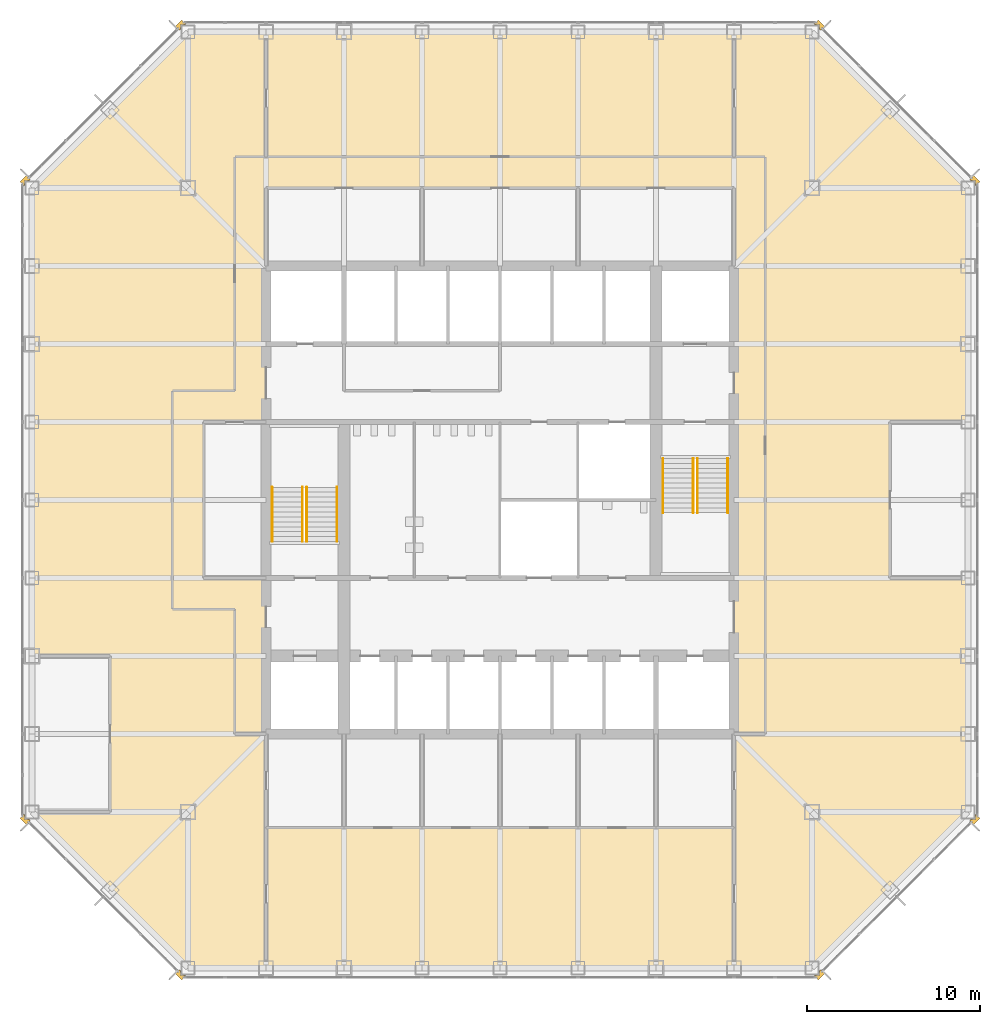
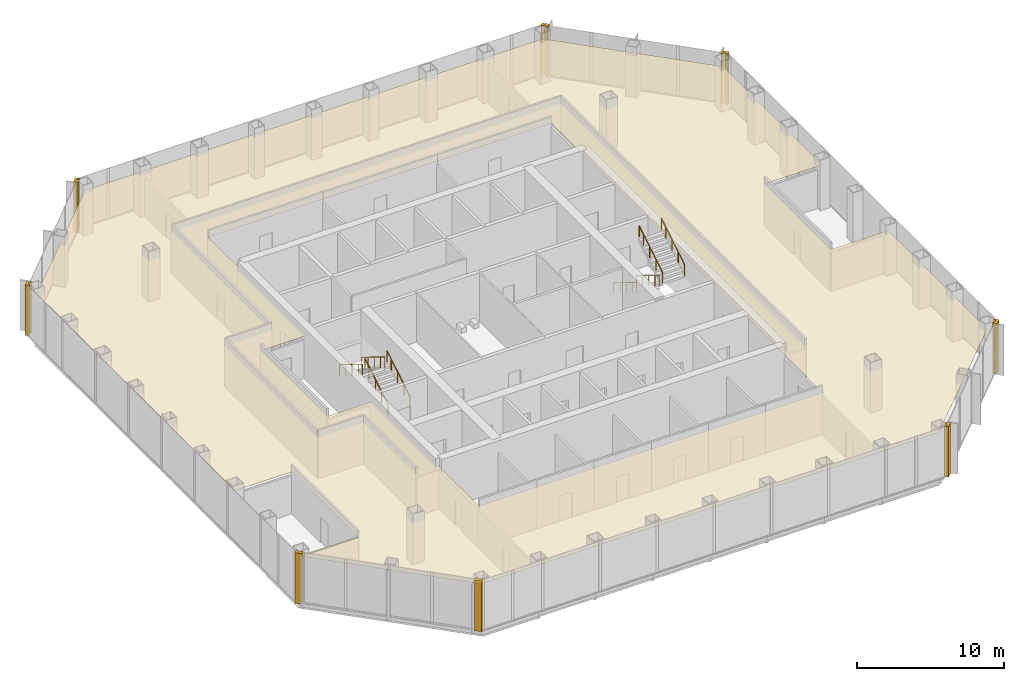
# One storey, part 11 of 12: 9 coverings, 8 railings.
"""IFC4 building model written with IfcOpenShell, lengths in metres."""

from ifc_helpers import new_model, si_unit, direction, frame, origin, origin_2d, place, context, subcontext, project, spatial, polyline, circle, outline, extrude, material, layer, layer_set, type_object, element, save


model = new_model("IFC4")

# Units and contexts
model_context = context("Model", 3, precision=1e-05, world=origin(), true_north=direction((0.0, 1.0)))
body_context = subcontext(model_context, "Body", "Model", "MODEL_VIEW")
ifc_project = project(units=[si_unit("LENGTHUNIT", "METRE"), si_unit("AREAUNIT", "SQUARE_METRE"), si_unit("VOLUMEUNIT", "CUBIC_METRE"), si_unit("PLANEANGLEUNIT", "RADIAN"), si_unit("MASSUNIT", "GRAM", prefix="KILO")], contexts=[model_context])

# Site, building, storey
site_placement = place(None, origin())
site = spatial("IfcSite", under=ifc_project, at=site_placement, CompositionType="ELEMENT")
building_placement = place(site_placement, origin())
building = spatial("IfcBuilding", under=site, at=building_placement, Name="Corais Broadcast Tower", CompositionType="ELEMENT")
storey_placement = place(building_placement, frame((0.0, 0.0, 58.39990234375)))
storey = spatial("IfcBuildingStorey", under=building, at=storey_placement, Name="L12", CompositionType="ELEMENT", Elevation=58.39990234375)

# Railings
ifc_material_1 = material(Name="Stainless steel handrail", Category="steel")
railing_type = type_object("IfcRailingType", Name="Handrail 920", PredefinedType="HANDRAIL", material=ifc_material_1)
for number, where, name in (
    (1, (17.60009765625, 24.60009765625, 0.175048828125), "HR1 L12"),
    (2, (15.85009765625, 24.60009765625, 0.175048828125), "HR1 L12"),
):
    element("IfcRailing", number, at=place(storey_placement, frame(where)), inside=storey, type_object=railing_type, Name=name, PredefinedType="HANDRAIL", context=body_context, shape_type="SweptSolid", body=[
        extrude(circle(Radius=0.02392578125, at=origin_2d()), frame((0.0, 0.0, 0.89599609375), z_axis=(0.0, 0.852166034122, 0.523271488128), x_axis=(-1.0, 0.0, 0.0)), (0.0, 0.0, 1.0), 3.678955078125),
        extrude(circle(Radius=0.02099609375, at=origin_2d()), origin(), (0.0, 0.0, 1.0), 0.871826171875),
        extrude(circle(Radius=0.02099609375, at=origin_2d()), frame((0.0, 0.85498046875, 0.52490234375)), (0.0, 0.0, 1.0), 0.871826171875),
        extrude(circle(Radius=0.02099609375, at=origin_2d()), frame((0.0, 1.7099609375, 1.050048828125)), (0.0, 0.0, 1.0), 0.871826171875),
        extrude(circle(Radius=0.02099609375, at=origin_2d()), frame((0.0, 2.56494140625, 1.574951171875)), (0.0, 0.0, 1.0), 0.871826171875),
        extrude(circle(Radius=0.02099609375, at=origin_2d()), frame((0.0, 3.135009765625, 1.925048828125)), (0.0, 0.0, 1.0), 0.871826171875),
    ])
for number, where, name in (
    (3, (13.85009765625, 27.735107421875, 2.275146484375), "HR1 L12"),
    (4, (15.60009765625, 27.735107421875, 2.275146484375), "HR1 L12"),
    (5, (36.39990234375, 29.39990234375, 0.175048828125), "HR1 L12"),
    (6, (38.14990234375, 29.39990234375, 0.175048828125), "HR1 L12"),
):
    element("IfcRailing", number, at=place(storey_placement, frame(where)), inside=storey, type_object=railing_type, Name=name, PredefinedType="HANDRAIL", context=body_context, shape_type="SweptSolid", body=[
        extrude(circle(Radius=0.02392578125, at=origin_2d()), frame((0.0, 0.0, 0.89599609375), z_axis=(0.0, -0.852166034122, 0.523271488128), x_axis=(1.0, 0.0, 0.0)), (0.0, 0.0, 1.0), 3.678955078125),
        extrude(circle(Radius=0.02099609375, at=origin_2d()), origin(), (0.0, 0.0, 1.0), 0.871826171875),
        extrude(circle(Radius=0.02099609375, at=origin_2d()), frame((0.0, -0.85498046875, 0.52490234375)), (0.0, 0.0, 1.0), 0.871826171875),
        extrude(circle(Radius=0.02099609375, at=origin_2d()), frame((0.0, -1.7099609375, 1.050048828125)), (0.0, 0.0, 1.0), 0.871826171875),
        extrude(circle(Radius=0.02099609375, at=origin_2d()), frame((0.0, -2.56494140625, 1.574951171875)), (0.0, 0.0, 1.0), 0.871826171875),
        extrude(circle(Radius=0.02099609375, at=origin_2d()), frame((0.0, -3.135009765625, 1.925048828125)), (0.0, 0.0, 1.0), 0.871826171875),
    ])
for number, where, name in (
    (7, (40.14990234375, 26.264892578125, 2.275146484375), "HR1 L12"),
    (8, (38.39990234375, 26.264892578125, 2.275146484375), "HR1 L12"),
):
    element("IfcRailing", number, at=place(storey_placement, frame(where)), inside=storey, type_object=railing_type, Name=name, PredefinedType="HANDRAIL", context=body_context, shape_type="SweptSolid", body=[
        extrude(circle(Radius=0.02392578125, at=origin_2d()), frame((0.0, 0.0, 0.89599609375), z_axis=(0.0, 0.852166034122, 0.523271488128), x_axis=(-1.0, 0.0, 0.0)), (0.0, 0.0, 1.0), 3.678955078125),
        extrude(circle(Radius=0.02099609375, at=origin_2d()), origin(), (0.0, 0.0, 1.0), 0.871826171875),
        extrude(circle(Radius=0.02099609375, at=origin_2d()), frame((0.0, 0.85498046875, 0.52490234375)), (0.0, 0.0, 1.0), 0.871826171875),
        extrude(circle(Radius=0.02099609375, at=origin_2d()), frame((0.0, 1.7099609375, 1.050048828125)), (0.0, 0.0, 1.0), 0.871826171875),
        extrude(circle(Radius=0.02099609375, at=origin_2d()), frame((0.0, 2.56494140625, 1.574951171875)), (0.0, 0.0, 1.0), 0.871826171875),
        extrude(circle(Radius=0.02099609375, at=origin_2d()), frame((0.0, 3.135009765625, 1.925048828125)), (0.0, 0.0, 1.0), 0.871826171875),
    ])

# Coverings
ifc_material_2 = material(Name="Granite stone cladding", Category="masonry")
ifc_layer_1 = layer(ifc_material_2, 0.324951171875)
ifc_layer_set_1 = layer_set([ifc_layer_1], Name="Granite stone cladding")
covering_type_1 = type_object("IfcCoveringType", Name="Stone corner pier cladding 500x325", PredefinedType="CLADDING", material=ifc_layer_set_1)
covering_1_placement = place(storey_placement, origin())
element("IfcCovering", 9, at=covering_1_placement, inside=storey, type_object=covering_type_1, Name="SP1 stone corner pier L12", PredefinedType="CLADDING", context=body_context, shape_type="SweptSolid", body=[
    extrude(outline(polyline([(8.860595703125, -0.461669921875), (8.823974609375, -0.425048828125), (8.574951171875, -0.425048828125), (8.574951171875, -0.176025390625), (8.507080078125, -0.108154296875), (8.277099609375, -0.337890625), (8.630859375, -0.69140625), (8.860595703125, -0.461669921875)])), origin(), (0.0, 0.0, 1.0), 4.2001953125),
])
covering_2_placement = place(storey_placement, origin())
element("IfcCovering", 10, at=covering_2_placement, inside=storey, type_object=covering_type_1, Name="SP1 stone corner pier L12", PredefinedType="CLADDING", context=body_context, shape_type="SweptSolid", body=[
    extrude(outline(polyline([(-0.425048828125, 8.823974609375), (-0.461669921875, 8.860595703125), (-0.69140625, 8.630859375), (-0.337890625, 8.277099609375), (-0.108154296875, 8.507080078125), (-0.176025390625, 8.574951171875), (-0.425048828125, 8.574951171875), (-0.425048828125, 8.823974609375)])), origin(), (0.0, 0.0, 1.0), 4.2001953125),
])
covering_3_placement = place(storey_placement, origin())
element("IfcCovering", 11, at=covering_3_placement, inside=storey, type_object=covering_type_1, Name="SP1 stone corner pier L12", PredefinedType="CLADDING", context=body_context, shape_type="SweptSolid", body=[
    extrude(outline(polyline([(-0.461669921875, 45.139404296875), (-0.425048828125, 45.176025390625), (-0.425048828125, 45.425048828125), (-0.176025390625, 45.425048828125), (-0.108154296875, 45.492919921875), (-0.337890625, 45.722900390625), (-0.69140625, 45.369140625), (-0.461669921875, 45.139404296875)])), origin(), (0.0, 0.0, 1.0), 4.2001953125),
])
covering_4_placement = place(storey_placement, origin())
element("IfcCovering", 12, at=covering_4_placement, inside=storey, type_object=covering_type_1, Name="SP1 stone corner pier L12", PredefinedType="CLADDING", context=body_context, shape_type="SweptSolid", body=[
    extrude(outline(polyline([(8.823974609375, 54.425048828125), (8.860595703125, 54.461669921875), (8.630859375, 54.69140625), (8.277099609375, 54.337890625), (8.507080078125, 54.108154296875), (8.574951171875, 54.176025390625), (8.574951171875, 54.425048828125), (8.823974609375, 54.425048828125)])), origin(), (0.0, 0.0, 1.0), 4.2001953125),
])
covering_5_placement = place(storey_placement, origin())
element("IfcCovering", 13, at=covering_5_placement, inside=storey, type_object=covering_type_1, Name="SP1 stone corner pier L12", PredefinedType="CLADDING", context=body_context, shape_type="SweptSolid", body=[
    extrude(outline(polyline([(45.139404296875, 54.461669921875), (45.176025390625, 54.425048828125), (45.425048828125, 54.425048828125), (45.425048828125, 54.176025390625), (45.492919921875, 54.108154296875), (45.722900390625, 54.337890625), (45.369140625, 54.69140625), (45.139404296875, 54.461669921875)])), origin(), (0.0, 0.0, 1.0), 4.2001953125),
])
covering_6_placement = place(storey_placement, origin())
element("IfcCovering", 14, at=covering_6_placement, inside=storey, type_object=covering_type_1, Name="SP1 stone corner pier L12", PredefinedType="CLADDING", context=body_context, shape_type="SweptSolid", body=[
    extrude(outline(polyline([(54.425048828125, 45.176025390625), (54.461669921875, 45.139404296875), (54.69140625, 45.369140625), (54.337890625, 45.722900390625), (54.108154296875, 45.492919921875), (54.176025390625, 45.425048828125), (54.425048828125, 45.425048828125), (54.425048828125, 45.176025390625)])), origin(), (0.0, 0.0, 1.0), 4.2001953125),
])
covering_7_placement = place(storey_placement, origin())
element("IfcCovering", 15, at=covering_7_placement, inside=storey, type_object=covering_type_1, Name="SP1 stone corner pier L12", PredefinedType="CLADDING", context=body_context, shape_type="SweptSolid", body=[
    extrude(outline(polyline([(54.461669921875, 8.860595703125), (54.425048828125, 8.823974609375), (54.425048828125, 8.574951171875), (54.176025390625, 8.574951171875), (54.108154296875, 8.507080078125), (54.337890625, 8.277099609375), (54.69140625, 8.630859375), (54.461669921875, 8.860595703125)])), origin(), (0.0, 0.0, 1.0), 4.2001953125),
])
covering_8_placement = place(storey_placement, origin())
element("IfcCovering", 16, at=covering_8_placement, inside=storey, type_object=covering_type_1, Name="SP1 stone corner pier L12", PredefinedType="CLADDING", context=body_context, shape_type="SweptSolid", body=[
    extrude(outline(polyline([(45.176025390625, -0.425048828125), (45.139404296875, -0.461669921875), (45.369140625, -0.69140625), (45.722900390625, -0.337890625), (45.492919921875, -0.108154296875), (45.425048828125, -0.176025390625), (45.425048828125, -0.425048828125), (45.176025390625, -0.425048828125)])), origin(), (0.0, 0.0, 1.0), 4.2001953125),
])
ifc_material_3 = material(Name="Mineral fibre ceiling tile", Category="mineral")
ifc_layer_2 = layer(ifc_material_3, 0.02001953125)
ifc_layer_set_2 = layer_set([ifc_layer_2], Name="Mineral fibre ceiling tile")
covering_type_2 = type_object("IfcCoveringType", Name="Suspended ceiling", PredefinedType="CEILING", material=ifc_layer_set_2)
covering_9_placement = place(storey_placement, frame((0.0, 0.0, 3.420166015625)))
element("IfcCovering", 17, at=covering_9_placement, inside=storey, type_object=covering_type_2, Name="CE1 ceiling L12", PredefinedType="CEILING", context=body_context, shape_type="SweptSolid", body=[
    extrude(outline(polyline([(9.0, 0.0), (0.0, 9.0), (4.5, 9.0), (4.5, 18.0), (0.0, 18.0), (0.0, 45.0), (9.0, 54.0), (45.0, 54.0), (54.0, 45.0), (54.0, 31.5), (49.5, 31.5), (49.5, 22.5), (54.0, 22.5), (54.0, 9.0), (45.0, 0.0), (9.0, 0.0)]), holes=[polyline([(13.5, 8.10009765625), (40.5, 8.10009765625), (40.5, 45.0), (13.5, 45.0), (13.5, 31.5), (9.89990234375, 31.5), (9.89990234375, 22.5), (13.5, 22.5), (13.5, 8.10009765625)])]), origin(), (0.0, 0.0, 1.0), 0.02001953125),
])

save(model, "model.ifc")
